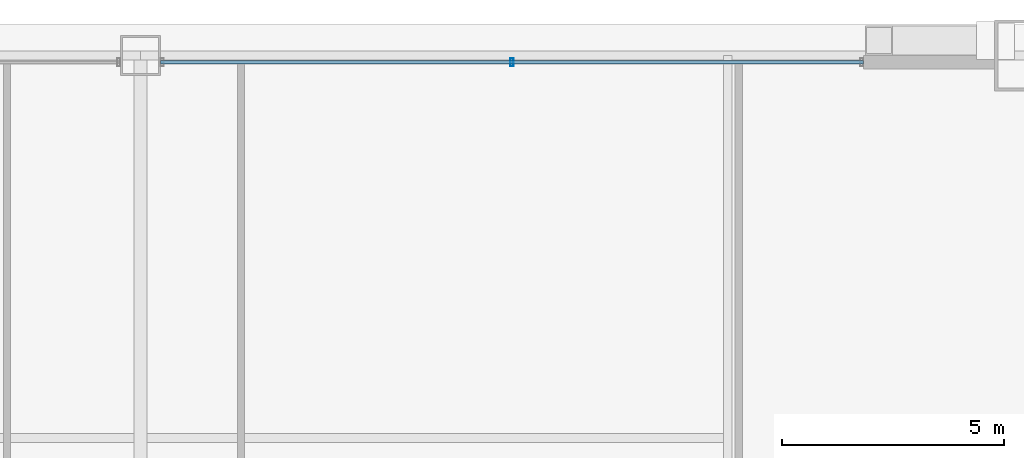
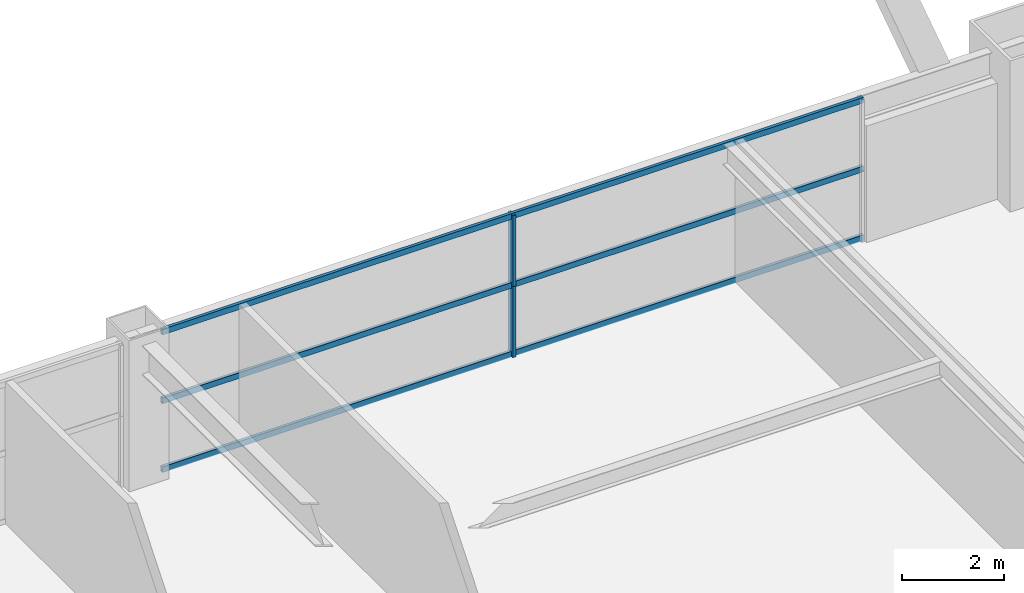
# One storey, part 35 of 43: 5 members, 1 element without a shape of its own.
"""IFC4 building model written with IfcOpenShell, lengths in metres."""

from ifc_helpers import new_model, si_unit, direction, frame, origin, origin_2d, place, context, subcontext, project, spatial, hollow_rectangle, extrude, source, transform, mapped, material, layer, layer_set, material_profile, profile_set, type_object, element, aggregate, save


model = new_model("IFC4")

# Units and contexts
model_context = context("Model", 3, precision=1e-05, world=origin(), true_north=direction((0.0, 1.0)))
body_context = subcontext(model_context, "Body", "Model", "MODEL_VIEW")
ifc_project = project(units=[si_unit("LENGTHUNIT", "METRE"), si_unit("AREAUNIT", "SQUARE_METRE"), si_unit("VOLUMEUNIT", "CUBIC_METRE"), si_unit("PLANEANGLEUNIT", "RADIAN"), si_unit("MASSUNIT", "GRAM", prefix="KILO"), si_unit("THERMODYNAMICTEMPERATUREUNIT", "KELVIN"), si_unit("POWERUNIT", "WATT")], contexts=[model_context])

# Site, building, storey
site_placement = place(None, origin())
site = spatial("IfcSite", under=ifc_project, at=site_placement, CompositionType="ELEMENT")
building_placement = place(site_placement, origin())
building = spatial("IfcBuilding", under=site, at=building_placement, Name="Yuzanri Waterfront Tower", CompositionType="ELEMENT")
storey_placement = place(building_placement, frame((0.0, 0.0, 138.0)))
storey = spatial("IfcBuildingStorey", under=building, at=storey_placement, Name="L36", CompositionType="ELEMENT", Elevation=138.0)

# Curtain wall, members
ifc_material_1 = material(Name="Anodized Architectural Bronze", Category="metal")
ifc_layer = layer(ifc_material_1, 0.159912109375)
ifc_layer_set = layer_set([ifc_layer], Name="Anodized Architectural Bronze")
curtain_wall_type = type_object("IfcCurtainWallType", Name="Anodized Bronze Hotel Upper-Tier Solar-Control Unitized Curtain Wall 7800", PredefinedType="NOTDEFINED", material=ifc_layer_set)
curtain_wall_placement = place(storey_placement, origin())
curtain_wall = element("IfcCurtainWall", 1, at=curtain_wall_placement, inside=storey, type_object=curtain_wall_type, Name="L36 Curtain Wall CW-L36-NR", PredefinedType="NOTDEFINED")
ifc_material_2 = material(Name="Anodized Architectural Bronze", Category="metal")
ifc_material_profile_1 = material_profile(ifc_material_2, hollow_rectangle(XDim=0.070068359375, YDim=0.179931640625, WallThickness=0.00390625, at=origin_2d()), Name="CWM 70x180")
ifc_profile_set_1 = profile_set([ifc_material_profile_1], Name="Anodized Architectural Bronze")
member_type_1 = type_object("IfcMemberType", Name="Anodized Bronze Standard Curtain-Wall Mullion 70x180", PredefinedType="MULLION", material=ifc_profile_set_1)
shared_shape_1 = source(origin(), body_context, "Body", "SweptSolid", [
    extrude(hollow_rectangle(XDim=0.070068359375, YDim=0.179931640625, WallThickness=0.00390625, at=origin_2d()), origin(), (0.0, 0.0, 1.0), 1.68798828125),
])
member_1_placement = place(storey_placement, frame((45.35009765625, 49.25, 0.0), z_axis=(0.0, 0.0, 1.0), x_axis=(1.0, 0.0, 0.0)))
member_1 = element("IfcMember", 2, at=member_1_placement, type_object=member_type_1, Name="CW-L36-NR Lower Mullion 01", PredefinedType="MULLION", context=body_context, shape_type="MappedRepresentation", body=[
    mapped(shared_shape_1, transform((0.0, 0.0, 0.0), scale=1.0)),
])
member_2_placement = place(storey_placement, frame((45.35009765625, 49.25, 1.69189453125), z_axis=(0.0, 0.0, 1.0), x_axis=(1.0, 0.0, 0.0)))
member_2 = element("IfcMember", 3, at=member_2_placement, type_object=member_type_1, Name="CW-L36-NR Upper Mullion 01", PredefinedType="MULLION", context=body_context, shape_type="MappedRepresentation", body=[
    mapped(shared_shape_1, transform((0.0, 0.0, 0.0), scale=1.0)),
])
ifc_material_3 = material(Name="Anodized Architectural Bronze", Category="metal")
ifc_material_profile_2 = material_profile(ifc_material_3, hollow_rectangle(XDim=0.070068359375, YDim=0.135009765625, WallThickness=0.00341796875, at=origin_2d()), Name="CWT 70x135")
ifc_profile_set_2 = profile_set([ifc_material_profile_2], Name="Anodized Architectural Bronze")
member_type_2 = type_object("IfcMemberType", Name="Anodized Bronze Standard Curtain-Wall Transom 70x135", PredefinedType="USERDEFINED", material=ifc_profile_set_2)
shared_shape_2 = source(origin(), body_context, "Body", "SweptSolid", [
    extrude(hollow_rectangle(XDim=0.070068359375, YDim=0.135009765625, WallThickness=0.00341796875, at=origin_2d()), origin(), (0.0, 0.0, 1.0), 15.800048828125),
])
member_3_placement = place(storey_placement, frame((37.449951171875, 49.25, 0.050048828125), z_axis=(1.0, 0.0, 0.0), x_axis=(0.0, 1.0, 0.0)))
member_3 = element("IfcMember", 4, at=member_3_placement, type_object=member_type_2, Name="CW-L36-NR Transom 1", ObjectType="TRANSOM", PredefinedType="USERDEFINED", context=body_context, shape_type="MappedRepresentation", body=[
    mapped(shared_shape_2, transform((0.0, 0.0, 0.0), scale=1.0)),
])
member_4_placement = place(storey_placement, frame((37.449951171875, 49.25, 1.68994140625), z_axis=(1.0, 0.0, 0.0), x_axis=(0.0, 1.0, 0.0)))
member_4 = element("IfcMember", 5, at=member_4_placement, type_object=member_type_2, Name="CW-L36-NR Transom 2", ObjectType="TRANSOM", PredefinedType="USERDEFINED", context=body_context, shape_type="MappedRepresentation", body=[
    mapped(shared_shape_2, transform((0.0, 0.0, 0.0), scale=1.0)),
])
member_5_placement = place(storey_placement, frame((37.449951171875, 49.25, 3.330078125), z_axis=(1.0, 0.0, 0.0), x_axis=(0.0, 1.0, 0.0)))
member_5 = element("IfcMember", 6, at=member_5_placement, type_object=member_type_2, Name="CW-L36-NR Transom 3", ObjectType="TRANSOM", PredefinedType="USERDEFINED", context=body_context, shape_type="MappedRepresentation", body=[
    mapped(shared_shape_2, transform((0.0, 0.0, 0.0), scale=1.0)),
])
aggregate(curtain_wall, [member_1, member_2, member_3, member_4, member_5])

save(model, "model.ifc")
